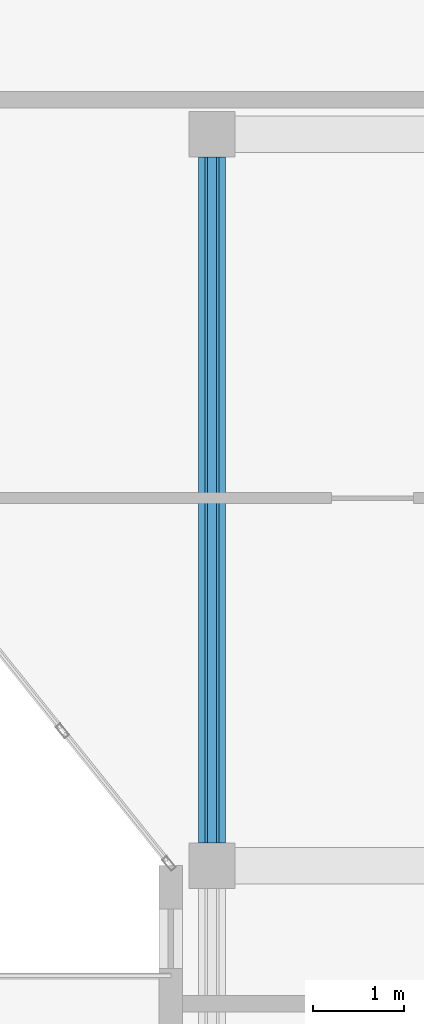
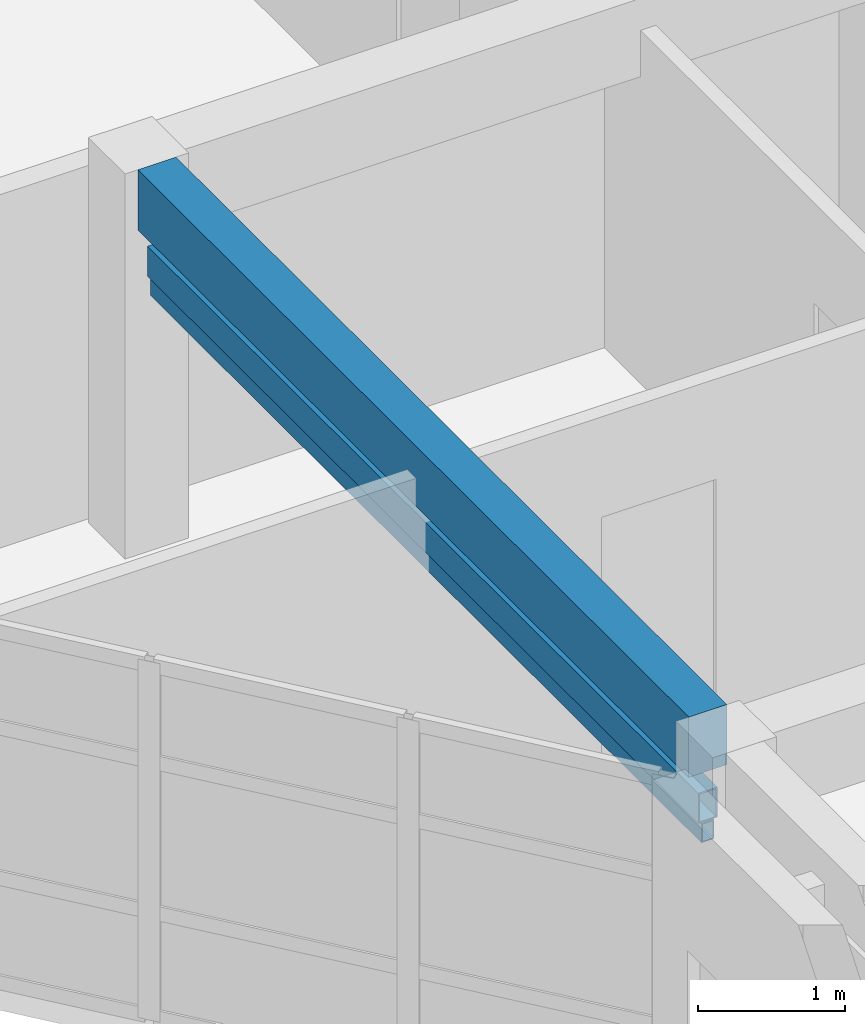
# One storey, part 10 of 30: 2 members, 1 beam.
"""IFC4 building model written with IfcOpenShell, lengths in metres."""

from ifc_helpers import new_model, si_unit, direction, frame, origin, origin_2d, place, context, subcontext, project, spatial, rectangle, hollow_rectangle, extrude, material, material_profile, profile_set, type_object, element, save


model = new_model("IFC4")

# Units and contexts
model_context = context("Model", 3, precision=1e-05, world=origin(), true_north=direction((0.0, 1.0)))
body_context = subcontext(model_context, "Body", "Model", "MODEL_VIEW")
ifc_project = project(units=[si_unit("LENGTHUNIT", "METRE"), si_unit("AREAUNIT", "SQUARE_METRE"), si_unit("VOLUMEUNIT", "CUBIC_METRE"), si_unit("PLANEANGLEUNIT", "RADIAN"), si_unit("MASSUNIT", "GRAM", prefix="KILO")], contexts=[model_context])

# Site, building, storey
site_placement = place(None, origin())
site = spatial("IfcSite", under=ifc_project, at=site_placement, CompositionType="ELEMENT")
building_placement = place(site_placement, origin())
building = spatial("IfcBuilding", under=site, at=building_placement, Name="Keldmere Railside Commons", CompositionType="ELEMENT")
storey_placement = place(building_placement, frame((0.0, 0.0, 36.159912109375)))
storey = spatial("IfcBuildingStorey", under=building, at=storey_placement, Name="L11", CompositionType="ELEMENT", Elevation=36.159912109375)

# Member
ifc_material_1 = material(Name="Steel F-36 (S355)", Category="steel")
ifc_material_profile_1 = material_profile(ifc_material_1, hollow_rectangle(XDim=0.14990234375, YDim=0.25, WallThickness=0.010009765625, at=origin_2d()), Name="RHS-250x150x10")
ifc_profile_set_1 = profile_set([ifc_material_profile_1], Name="Steel F-36 (S355)")
member_type_1 = type_object("IfcMemberType", Name="Balcony Continuous Planted Trough RHS250x150", PredefinedType="CHORD", material=ifc_profile_set_1)
member_1_placement = place(storey_placement, frame((168.449951171875, 88.25, 2.4150390625), z_axis=(0.0, 1.0, 0.0), x_axis=(-1.0, 0.0, 0.0)))
element("IfcMember", 1, at=member_1_placement, inside=storey, type_object=member_type_1, Name="PLT-1 MEM-BPLT-1025", PredefinedType="CHORD", context=body_context, shape_type="SweptSolid", body=[
    extrude(hollow_rectangle(XDim=0.14990234375, YDim=0.25, WallThickness=0.010009765625, at=origin_2d()), origin(), (0.0, 0.0, 1.0), 7.5),
])

# Beam
ifc_material_2 = material(Name="Concrete H-30 (C30/37)", Category="concrete")
ifc_material_profile_2 = material_profile(ifc_material_2, rectangle(XDim=0.300048828125, YDim=0.5, at=origin_2d()), Name="RC-300x500")
ifc_profile_set_2 = profile_set([ifc_material_profile_2], Name="Concrete H-30 (C30/37)")
beam_type = type_object("IfcBeamType", Name="Secondary Frame RC Beam 300x500", PredefinedType="BEAM", material=ifc_profile_set_2)
beam_placement = place(storey_placement, frame((168.449951171875, 88.25, 2.9501953125), z_axis=(0.0, 1.0, 0.0), x_axis=(-1.0, 0.0, 0.0)))
element("IfcBeam", 2, at=beam_placement, inside=storey, type_object=beam_type, Name="BG-5 BM-L11-2475", PredefinedType="BEAM", context=body_context, shape_type="SweptSolid", body=[
    extrude(rectangle(XDim=0.300048828125, YDim=0.5, at=origin_2d()), origin(), (0.0, 0.0, 1.0), 7.5),
])

# Member
ifc_material_profile_3 = material_profile(ifc_material_1, hollow_rectangle(XDim=0.10009765625, YDim=0.159912109375, WallThickness=0.008056640625, at=origin_2d()), Name="RHS-160x100x8")
ifc_profile_set_3 = profile_set([ifc_material_profile_3], Name="Steel F-36 (S355)")
member_type_2 = type_object("IfcMemberType", Name="Solar Brise-Soleil Louvre Fin RHS160x100", PredefinedType="STRUT", material=ifc_profile_set_3)
member_2_placement = place(storey_placement, frame((168.449951171875, 88.25, 2.2001953125), z_axis=(0.0, 1.0, 0.0), x_axis=(-1.0, 0.0, 0.0)))
element("IfcMember", 3, at=member_2_placement, inside=storey, type_object=member_type_2, Name="BSF-1 MEM-BSF-1026", PredefinedType="STRUT", context=body_context, shape_type="SweptSolid", body=[
    extrude(hollow_rectangle(XDim=0.10009765625, YDim=0.159912109375, WallThickness=0.008056640625, at=origin_2d()), origin(), (0.0, 0.0, 1.0), 7.5),
])

save(model, "model.ifc")
